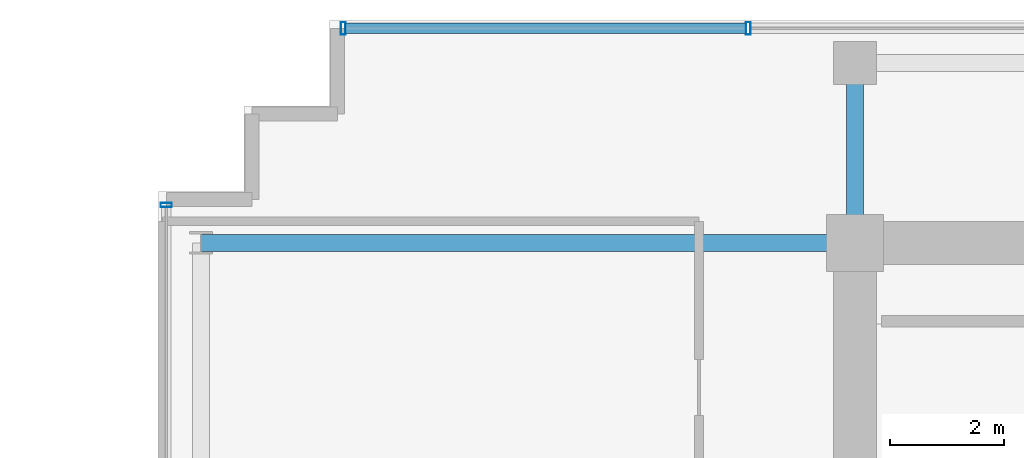
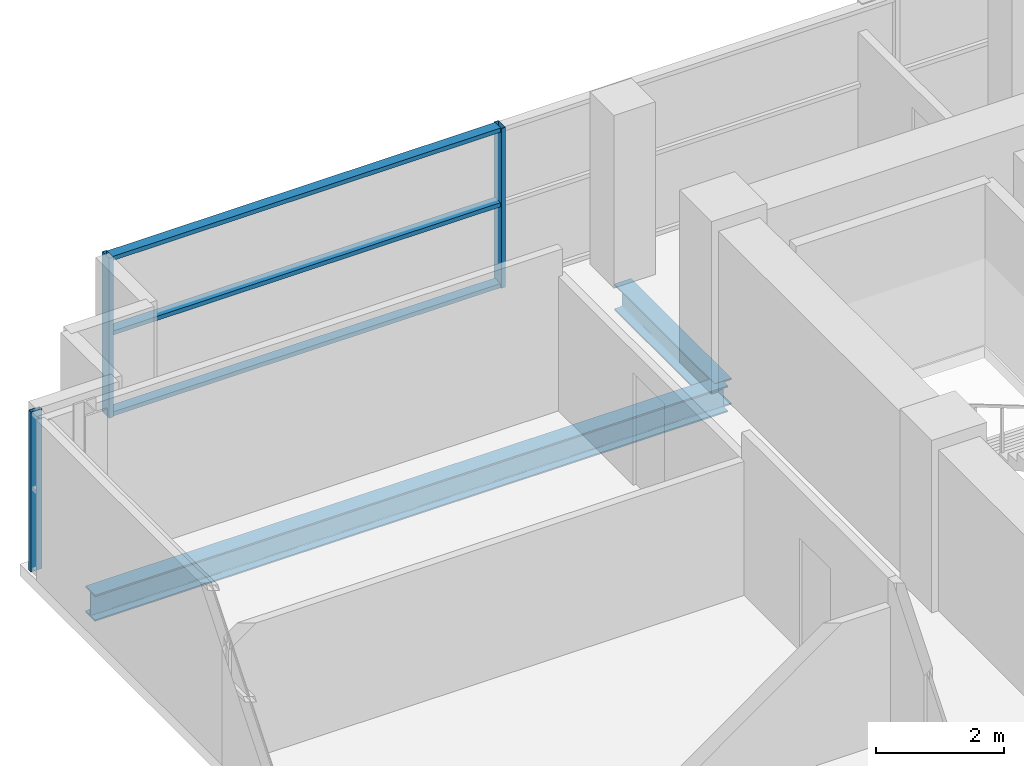
# One storey, part 9 of 21: 6 members, 2 beams, 2 elements without a shape of their own.
"""IFC4 building model written with IfcOpenShell, lengths in metres."""

from ifc_helpers import new_model, si_unit, direction, frame, origin, origin_2d, place, context, subcontext, project, spatial, hollow_rectangle, i_section, extrude, source, transform, mapped, material, layer, layer_set, material_profile, profile_set, type_object, element, aggregate, save


model = new_model("IFC4")

# Units and contexts
model_context = context("Model", 3, precision=1e-05, world=origin(), true_north=direction((0.0, 1.0)))
body_context = subcontext(model_context, "Body", "Model", "MODEL_VIEW")
ifc_project = project(units=[si_unit("LENGTHUNIT", "METRE"), si_unit("AREAUNIT", "SQUARE_METRE"), si_unit("VOLUMEUNIT", "CUBIC_METRE"), si_unit("PLANEANGLEUNIT", "RADIAN"), si_unit("MASSUNIT", "GRAM", prefix="KILO")], contexts=[model_context])

# Site, building, storey
site_placement = place(None, origin())
site = spatial("IfcSite", under=ifc_project, at=site_placement, CompositionType="ELEMENT")
building_placement = place(site_placement, origin())
building = spatial("IfcBuilding", under=site, at=building_placement, Name="Zarnakvel Exchange Tower", CompositionType="ELEMENT")
storey_placement = place(building_placement, frame((0.0, 0.0, 166.0)))
storey = spatial("IfcBuildingStorey", under=building, at=storey_placement, Name="L46", CompositionType="ELEMENT", Elevation=166.0)

# Beams
ifc_material_1 = material(Name="Steel S355", Category="steel")
ifc_material_profile_1 = material_profile(ifc_material_1, i_section(OverallWidth=0.300048828125, OverallDepth=0.5, WebThickness=0.014404296875, FlangeThickness=0.028076171875, FilletRadius=0.027099609375, at=origin_2d()))
ifc_profile_set_1 = profile_set([ifc_material_profile_1], Name="Steel S355")
beam_type = type_object("IfcBeamType", Name="G-06", PredefinedType="BEAM", material=ifc_profile_set_1)
beam_1_placement = place(storey_placement, frame((-25.85009765625, 13.5, -0.47509765625), z_axis=(1.0, 0.0, 0.0), x_axis=(0.0, 1.0, 0.0)))
element("IfcBeam", 1, at=beam_1_placement, inside=storey, type_object=beam_type, Name="L46 Tower E-W Frame Beam", PredefinedType="BEAM", context=body_context, shape_type="SweptSolid", body=[
    extrude(i_section(OverallWidth=0.300048828125, OverallDepth=0.5, WebThickness=0.014404296875, FlangeThickness=0.028076171875, FilletRadius=0.027099609375, at=origin_2d()), origin(), (0.0, 0.0, 1.0), 11.4501953125),
])
beam_2_placement = place(storey_placement, frame((-14.39990234375, 13.5, -0.47509765625), z_axis=(0.0, 1.0, 0.0), x_axis=(-1.0, 0.0, 0.0)))
element("IfcBeam", 2, at=beam_2_placement, inside=storey, type_object=beam_type, Name="L46 Tower N-S Frame Beam", PredefinedType="BEAM", context=body_context, shape_type="SweptSolid", body=[
    extrude(i_section(OverallWidth=0.300048828125, OverallDepth=0.5, WebThickness=0.014404296875, FlangeThickness=0.028076171875, FilletRadius=0.027099609375, at=origin_2d()), origin(), (0.0, 0.0, 1.0), 3.14990234375),
])

# Curtain wall, member
ifc_material_2 = material(Name="Architectural Bronze Anodised Aluminium", Category="aluminium")
ifc_layer_1 = layer(ifc_material_2, 0.199951171875)
ifc_layer_set_1 = layer_set([ifc_layer_1], Name="Architectural Bronze Anodised Aluminium")
curtain_wall_type_1 = type_object("IfcCurtainWallType", Name="CW-04", PredefinedType="NOTDEFINED", material=ifc_layer_set_1)
curtain_wall_1_placement = place(storey_placement, origin())
curtain_wall_1 = element("IfcCurtainWall", 3, at=curtain_wall_1_placement, inside=storey, type_object=curtain_wall_type_1, Name="L46 Curtain Wall CW-L46-WN (CW-04)", PredefinedType="NOTDEFINED")
ifc_material_profile_2 = material_profile(ifc_material_2, hollow_rectangle(XDim=0.199951171875, YDim=0.074951171875, WallThickness=0.0048828125, at=origin_2d()))
ifc_profile_set_2 = profile_set([ifc_material_profile_2], Name="Architectural Bronze Anodised Aluminium")
member_type_1 = type_object("IfcMemberType", Name="CWM-04", PredefinedType="MULLION", material=ifc_profile_set_2)
shared_shape_1 = source(origin(), body_context, "Body", "SweptSolid", [
    extrude(hollow_rectangle(XDim=0.199951171875, YDim=0.074951171875, WallThickness=0.0048828125, at=origin_2d()), origin(), (0.0, 0.0, 1.0), 3.054931640625),
])
member_1_placement = place(storey_placement, frame((-26.4599609375, 14.16259765625, 0.0), z_axis=(0.0, 0.0, 1.0), x_axis=(-1.0, 0.0, 0.0)))
member_1 = element("IfcMember", 4, at=member_1_placement, type_object=member_type_1, Name="CW-04 mullion 3", PredefinedType="MULLION", context=body_context, shape_type="MappedRepresentation", body=[
    mapped(shared_shape_1, transform((0.0, 0.0, 0.0), x_axis=(1.0, 0.0, 0.0), y_axis=(0.0, 1.0, 0.0), z_axis=(0.0, 0.0, 1.0), scale=1.0)),
])
aggregate(curtain_wall_1, [member_1])

# Curtain wall, members
ifc_layer_2 = layer(ifc_material_2, 0.219970703125)
ifc_layer_set_2 = layer_set([ifc_layer_2], Name="Architectural Bronze Anodised Aluminium")
curtain_wall_type_2 = type_object("IfcCurtainWallType", Name="CW-03", PredefinedType="NOTDEFINED", material=ifc_layer_set_2)
curtain_wall_2_placement = place(storey_placement, origin())
curtain_wall_2 = element("IfcCurtainWall", 5, at=curtain_wall_2_placement, inside=storey, type_object=curtain_wall_type_2, Name="L46 Curtain Wall CW-L46-N1 (CW-03)", PredefinedType="NOTDEFINED")
ifc_material_profile_3 = material_profile(ifc_material_2, hollow_rectangle(XDim=0.219970703125, YDim=0.080078125, WallThickness=0.0048828125, at=origin_2d()))
ifc_profile_set_3 = profile_set([ifc_material_profile_3], Name="Architectural Bronze Anodised Aluminium")
member_type_2 = type_object("IfcMemberType", Name="CWM-03", PredefinedType="MULLION", material=ifc_profile_set_3)
shared_shape_2 = source(origin(), body_context, "Body", "SweptSolid", [
    extrude(hollow_rectangle(XDim=0.219970703125, YDim=0.080078125, WallThickness=0.0048828125, at=origin_2d()), origin(), (0.0, 0.0, 1.0), 3.054931640625),
])
member_2_placement = place(storey_placement, frame((-23.360107421875, 17.260009765625, 0.0), z_axis=(0.0, 0.0, 1.0), x_axis=(0.0, 1.0, 0.0)))
member_2 = element("IfcMember", 6, at=member_2_placement, type_object=member_type_2, Name="CW-03 mullion 1", PredefinedType="MULLION", context=body_context, shape_type="MappedRepresentation", body=[
    mapped(shared_shape_2, transform((0.0, 0.0, 0.0), x_axis=(1.0, 0.0, 0.0), y_axis=(0.0, 1.0, 0.0), z_axis=(0.0, 0.0, 1.0), scale=1.0)),
])
member_3_placement = place(storey_placement, frame((-16.2666015625, 17.260009765625, 0.0), z_axis=(0.0, 0.0, 1.0), x_axis=(0.0, 1.0, 0.0)))
member_3 = element("IfcMember", 7, at=member_3_placement, type_object=member_type_2, Name="CW-03 mullion 2", PredefinedType="MULLION", context=body_context, shape_type="MappedRepresentation", body=[
    mapped(shared_shape_2, transform((0.0, 0.0, 0.0), x_axis=(1.0, 0.0, 0.0), y_axis=(0.0, 1.0, 0.0), z_axis=(0.0, 0.0, 1.0), scale=1.0)),
])
ifc_material_profile_4 = material_profile(ifc_material_2, hollow_rectangle(XDim=0.179931640625, YDim=0.080078125, WallThickness=0.00390625, at=origin_2d()))
ifc_profile_set_4 = profile_set([ifc_material_profile_4], Name="Architectural Bronze Anodised Aluminium")
member_type_3 = type_object("IfcMemberType", Name="CWT-03", PredefinedType="USERDEFINED", material=ifc_profile_set_4)
shared_shape_3 = source(origin(), body_context, "Body", "SweptSolid", [
    extrude(hollow_rectangle(XDim=0.179931640625, YDim=0.080078125, WallThickness=0.00390625, at=origin_2d()), origin(), (0.0, 0.0, 1.0), 7.013427734375),
])
member_4_placement = place(storey_placement, frame((-23.320068359375, 17.260009765625, 0.0400390625), z_axis=(1.0, 0.0, 0.0), x_axis=(0.0, 1.0, 0.0)))
member_4 = element("IfcMember", 8, at=member_4_placement, type_object=member_type_3, Name="CW-03 transom 1.1", ObjectType="TRANSOM", PredefinedType="USERDEFINED", context=body_context, shape_type="MappedRepresentation", body=[
    mapped(shared_shape_3, transform((0.0, 0.0, 0.0), x_axis=(1.0, 0.0, 0.0), y_axis=(0.0, 1.0, 0.0), z_axis=(0.0, 0.0, 1.0), scale=1.0)),
])
member_5_placement = place(storey_placement, frame((-23.320068359375, 17.260009765625, 1.588623046875), z_axis=(1.0, 0.0, 0.0), x_axis=(0.0, 1.0, 0.0)))
member_5 = element("IfcMember", 9, at=member_5_placement, type_object=member_type_3, Name="CW-03 transom 1.2", ObjectType="TRANSOM", PredefinedType="USERDEFINED", context=body_context, shape_type="MappedRepresentation", body=[
    mapped(shared_shape_3, transform((0.0, 0.0, 0.0), x_axis=(1.0, 0.0, 0.0), y_axis=(0.0, 1.0, 0.0), z_axis=(0.0, 0.0, 1.0), scale=1.0)),
])
member_6_placement = place(storey_placement, frame((-23.320068359375, 17.260009765625, 3.014892578125), z_axis=(1.0, 0.0, 0.0), x_axis=(0.0, 1.0, 0.0)))
member_6 = element("IfcMember", 10, at=member_6_placement, type_object=member_type_3, Name="CW-03 transom 1.3", ObjectType="TRANSOM", PredefinedType="USERDEFINED", context=body_context, shape_type="MappedRepresentation", body=[
    mapped(shared_shape_3, transform((0.0, 0.0, 0.0), x_axis=(1.0, 0.0, 0.0), y_axis=(0.0, 1.0, 0.0), z_axis=(0.0, 0.0, 1.0), scale=1.0)),
])
aggregate(curtain_wall_2, [member_2, member_3, member_4, member_5, member_6])

save(model, "model.ifc")
